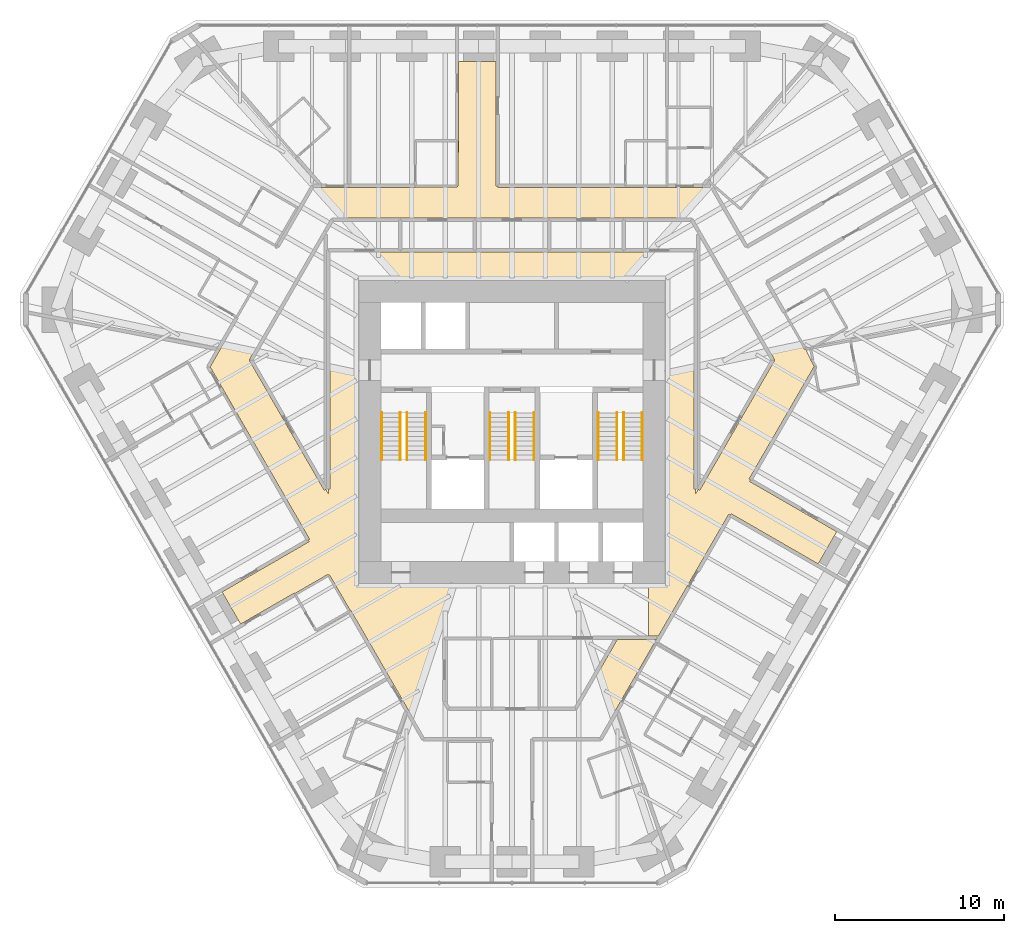
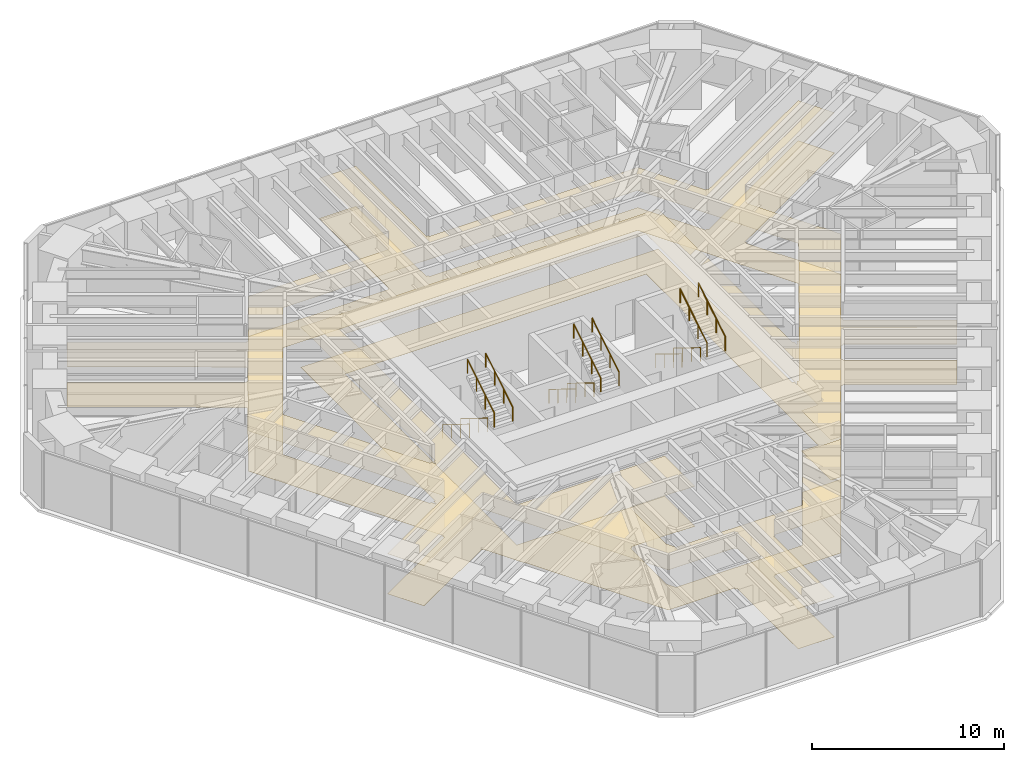
# One storey, part 17 of 17: 12 railings, 2 coverings.
"""IFC4 building model written with IfcOpenShell, lengths in metres."""

from ifc_helpers import new_model, si_unit, direction, frame, origin, origin_2d, place, context, subcontext, project, spatial, polyline, circle, outline, extrude, material, layer, layer_set, type_object, element, save


model = new_model("IFC4")

# Units and contexts
model_context = context("Model", 3, precision=1e-05, world=origin(), true_north=direction((0.0, 1.0)))
body_context = subcontext(model_context, "Body", "Model", "MODEL_VIEW")
ifc_project = project(units=[si_unit("LENGTHUNIT", "METRE"), si_unit("AREAUNIT", "SQUARE_METRE"), si_unit("VOLUMEUNIT", "CUBIC_METRE"), si_unit("PLANEANGLEUNIT", "RADIAN"), si_unit("MASSUNIT", "GRAM", prefix="KILO")], contexts=[model_context])

# Site, building, storey
site_placement = place(None, origin())
site = spatial("IfcSite", under=ifc_project, at=site_placement, CompositionType="ELEMENT")
building_placement = place(site_placement, origin())
building = spatial("IfcBuilding", under=site, at=building_placement, Name="Sandreach Pilgrim Tower", CompositionType="ELEMENT")
storey_placement = place(building_placement, frame((0.0, 0.0, 104.39990234375)))
storey = spatial("IfcBuildingStorey", under=building, at=storey_placement, Name="L25", CompositionType="ELEMENT", Elevation=104.39990234375)

# Coverings
ifc_material_1 = material(Name="Nylon carpet tile on the slab", Category="textile")
ifc_layer_1 = layer(ifc_material_1, 0.008056640625)
ifc_layer_set_1 = layer_set([ifc_layer_1], Name="Carpet tile")
covering_type_1 = type_object("IfcCoveringType", Name="Carpet tile", PredefinedType="FLOORING", material=ifc_layer_set_1)
covering_1_placement = place(storey_placement, origin())
element("IfcCovering", 1, at=covering_1_placement, inside=storey, type_object=covering_type_1, Name="Floor finish 25C Corridor 25", PredefinedType="FLOORING", context=body_context, shape_type="SweptSolid", body=[
    extrude(outline(polyline([(-21.994384765625, 13.96923828125), (-13.90966796875, 9.30322265625), (-13.861083984375, 9.38818359375), (-13.7734375, 9.33984375), (-11.71240234375, 12.889892578125), (-5.699951171875, 12.889892578125), (-4.696044921875, 12.929931640625), (-3.25, 12.929931640625), (-3.25, 12.987548828125), (-3.18994140625, 12.989990234375), (-3.175537109375, 15.659912109375), (-3.14990234375, 15.659912109375), (-3.14990234375, 20.333740234375), (-0.949951171875, 20.333740234375), (-0.949951171875, 12.989990234375), (-0.8349609375, 12.989990234375), (-0.8349609375, 12.889892578125), (11.71240234375, 12.889892578125), (13.7685546875, 9.348388671875), (13.849853515625, 9.395751953125), (13.909912109375, 9.303466796875), (21.99365234375, 13.97021484375), (23.094482421875, 12.063720703125), (15.010009765625, 7.396484375), (15.060546875, 7.298828125), (14.978271484375, 7.25146484375), (16.00341796875, 5.47021484375), (16.04248046875, 5.492431640625), (17.298095703125, 3.31005859375), (17.345947265625, 3.337646484375), (17.358642578125, 3.279541015625), (17.37890625, 3.283447265625), (17.685302734375, 2.68017578125), (17.66796875, 2.670166015625), (17.8603515625, 2.335693359375), (14.010986328125, -4.31689453125), (14.097412109375, -4.366943359375), (14.0400390625, -4.466552734375), (19.1865234375, -7.435791015625), (18.085693359375, -9.342041015625), (12.94873046875, -6.37841796875), (12.900146484375, -6.46240234375), (12.803466796875, -6.409912109375), (8.6513671875, -13.60009765625), (8.050048828125, -13.60009765625), (8.050048828125, -10.52001953125), (9.070068359375, -10.52001953125), (9.070068359375, 7.419921875), (-9.070068359375, 7.419921875), (-9.070068359375, -10.52001953125), (-0.175048828125, -10.52001953125), (-0.175048828125, -13.68994140625), (-1.199951171875, -13.67919921875), (-1.199951171875, -13.64990234375), (-3.989990234375, -13.64990234375), (-3.989990234375, -13.75), (-4.10009765625, -13.75), (-4.10009765625, -17.487060546875), (-3.8076171875, -17.989990234375), (3.8076171875, -17.989990234375), (6.2265625, -13.800048828125), (8.535888671875, -13.800048828125), (5.192138671875, -19.590087890625), (1.215087890625, -19.590087890625), (1.215087890625, -19.68994140625), (1.10009765625, -19.68994140625), (1.10009765625, -26.0322265625), (-1.10009765625, -26.0322265625), (-1.10009765625, -19.699951171875), (-1.199951171875, -19.699951171875), (-1.199951171875, -19.590087890625), (-5.192138671875, -19.590087890625), (-9.5234375, -12.090087890625), (-9.55029296875, -12.10546875), (-10.7880859375, -9.97998046875), (-10.840576171875, -10.009033203125), (-10.8701171875, -9.9580078125), (-12.840087890625, -11.09814453125), (-12.85986328125, -11.0634765625), (-16.033935546875, -12.89599609375), (-17.130615234375, -10.99658203125), (-11.989990234375, -8.026611328125), (-12.045166015625, -7.92578125), (-11.9609375, -7.876953125), (-17.83447265625, 2.300048828125), (-16.17333984375, 5.179931640625), (-16.20947265625, 5.200927734375), (-15.008056640625, 7.280029296875), (-15.05908203125, 7.309326171875), (-15.030029296875, 7.36181640625), (-17.28662109375, 8.677978515625), (-17.27001953125, 8.70654296875), (-23.09375, 12.064697265625), (-21.994384765625, 13.96923828125)]), holes=[polyline([(-15.525390625, 2.699951171875), (-11.0966796875, -4.97998046875), (-11.004638671875, -4.927001953125), (-10.85009765625, -5.19482421875), (-10.85009765625, -4.909912109375), (-10.75, -4.909912109375), (-10.75, 9.10009765625), (10.75, 9.10009765625), (10.75, -4.909912109375), (10.85009765625, -4.909912109375), (10.85009765625, -5.19482421875), (11.004638671875, -4.927001953125), (11.0966796875, -4.97998046875), (15.525390625, 2.699951171875), (10.677490234375, 11.090087890625), (-10.677490234375, 11.090087890625), (-15.525390625, 2.699951171875)])]), origin(), (0.0, 0.0, 1.0), 0.008056640625),
])
ifc_material_2 = material(Name="Gypsum board suspended ceiling on a steel grid", Category="steel")
ifc_layer_2 = layer(ifc_material_2, 0.012939453125)
ifc_layer_set_2 = layer_set([ifc_layer_2], Name="Gypsum board suspended ceiling")
covering_type_2 = type_object("IfcCoveringType", Name="Gypsum board suspended ceiling", PredefinedType="CEILING", material=ifc_layer_set_2)
covering_2_placement = place(storey_placement, frame((0.0, 0.0, 2.550048828125)))
element("IfcCovering", 2, at=covering_2_placement, inside=storey, type_object=covering_type_2, Name="Ceiling 25C Corridor 25", PredefinedType="CEILING", context=body_context, shape_type="SweptSolid", body=[
    extrude(outline(polyline([(-23.09375, 12.064697265625), (-21.994384765625, 13.96923828125), (-13.90966796875, 9.30322265625), (-13.861083984375, 9.38818359375), (-13.7734375, 9.33984375), (-11.71240234375, 12.889892578125), (-5.699951171875, 12.889892578125), (-5.699951171875, 12.91845703125), (-3.25, 12.929931640625), (-3.247802734375, 12.989990234375), (-3.18994140625, 12.989990234375), (-3.18994140625, 14.568115234375), (-3.14990234375, 15.659912109375), (-3.14990234375, 20.333740234375), (-0.949951171875, 20.333740234375), (-0.949951171875, 12.989990234375), (-0.8349609375, 12.989990234375), (-0.8349609375, 12.889892578125), (11.71240234375, 12.889892578125), (13.7685546875, 9.348388671875), (13.849853515625, 9.395751953125), (13.909912109375, 9.303466796875), (21.99365234375, 13.97021484375), (23.094482421875, 12.063720703125), (15.010009765625, 7.396484375), (15.060546875, 7.298828125), (14.978271484375, 7.25146484375), (16.00341796875, 5.47021484375), (16.04248046875, 5.492431640625), (17.298095703125, 3.31005859375), (17.345947265625, 3.337646484375), (17.358642578125, 3.279541015625), (17.37890625, 3.283447265625), (17.685302734375, 2.68017578125), (17.66796875, 2.670166015625), (17.8603515625, 2.335693359375), (14.010986328125, -4.31689453125), (14.097412109375, -4.366943359375), (14.0400390625, -4.466552734375), (19.1865234375, -7.435791015625), (18.085693359375, -9.342041015625), (12.94873046875, -6.37841796875), (12.900146484375, -6.46240234375), (12.803466796875, -6.409912109375), (8.6513671875, -13.60009765625), (8.050048828125, -13.60009765625), (8.050048828125, -10.52001953125), (9.070068359375, -10.52001953125), (9.070068359375, 7.419921875), (-9.070068359375, 7.419921875), (-9.070068359375, -10.52001953125), (-0.175048828125, -10.52001953125), (-0.175048828125, -13.68994140625), (-1.199951171875, -13.67919921875), (-1.199951171875, -13.64990234375), (-3.989990234375, -13.64990234375), (-3.989990234375, -13.75), (-4.10009765625, -13.75), (-4.10009765625, -17.487060546875), (-3.8076171875, -17.989990234375), (3.8076171875, -17.989990234375), (6.2265625, -13.800048828125), (8.535888671875, -13.800048828125), (5.192138671875, -19.590087890625), (1.215087890625, -19.590087890625), (1.215087890625, -19.68994140625), (1.10009765625, -19.68994140625), (1.10009765625, -26.0322265625), (-1.10009765625, -26.0322265625), (-1.10009765625, -19.699951171875), (-1.199951171875, -19.699951171875), (-1.199951171875, -19.590087890625), (-5.192138671875, -19.590087890625), (-9.5234375, -12.090087890625), (-9.55029296875, -12.10546875), (-10.7880859375, -9.97998046875), (-10.840576171875, -10.009033203125), (-10.8701171875, -9.9580078125), (-12.840087890625, -11.09814453125), (-12.85986328125, -11.0634765625), (-16.033935546875, -12.89599609375), (-17.130615234375, -10.99658203125), (-11.989990234375, -8.026611328125), (-12.045166015625, -7.92578125), (-11.9609375, -7.876953125), (-17.83447265625, 2.300048828125), (-16.17333984375, 5.179931640625), (-16.193359375, 5.191650390625), (-15.008056640625, 7.280029296875), (-15.058837890625, 7.31201171875), (-15.030029296875, 7.36181640625), (-16.36474609375, 8.1357421875), (-17.27001953125, 8.70654296875), (-23.09375, 12.064697265625)]), holes=[polyline([(-15.525390625, 2.699951171875), (-11.0966796875, -4.97998046875), (-11.004638671875, -4.927001953125), (-10.85009765625, -5.19482421875), (-10.85009765625, -4.909912109375), (-10.75, -4.909912109375), (-10.75, 9.10009765625), (10.75, 9.10009765625), (10.75, -4.909912109375), (10.85009765625, -4.909912109375), (10.85009765625, -5.19482421875), (11.004638671875, -4.927001953125), (11.0966796875, -4.97998046875), (15.525390625, 2.699951171875), (10.677490234375, 11.090087890625), (-10.677490234375, 11.090087890625), (-15.525390625, 2.699951171875)])]), origin(), (0.0, 0.0, 1.0), 0.012939453125),
])

# Railings
ifc_material_3 = material(Name="Stainless steel tube", Category="steel")
railing_type = type_object("IfcRailingType", Name="Stair handrail", PredefinedType="HANDRAIL", material=ifc_material_3)
for number, where, name in (
    (3, (-6.60009765625, -0.39990234375, 0.1728515625), "Handrail ST1 L25 flight 1"),
    (4, (-7.699951171875, -0.39990234375, 0.1728515625), "Handrail ST1 L25 flight 1"),
):
    element("IfcRailing", number, at=place(storey_placement, frame(where)), inside=storey, type_object=railing_type, Name=name, PredefinedType="HANDRAIL", context=body_context, shape_type="SweptSolid", body=[
        extrude(circle(Radius=0.02392578125, at=origin_2d()), frame((0.0, 0.0, 0.8759765625), z_axis=(0.0, -0.851089632645, 0.525020415988), x_axis=(1.0, 0.0, 0.0)), (0.0, 0.0, 1.0), 3.2900390625),
        extrude(circle(Radius=0.02099609375, at=origin_2d()), origin(), (0.0, 0.0, 1.0), 0.851806640625),
        extrude(circle(Radius=0.02099609375, at=origin_2d()), frame((0.0, -0.933349609375, 0.57568359375)), (0.0, 0.0, 1.0), 0.851806640625),
        extrude(circle(Radius=0.02099609375, at=origin_2d()), frame((0.0, -1.86669921875, 1.151611328125)), (0.0, 0.0, 1.0), 0.851806640625),
        extrude(circle(Radius=0.02099609375, at=origin_2d()), frame((0.0, -2.800048828125, 1.727294921875)), (0.0, 0.0, 1.0), 0.851806640625),
    ])
for number, where, name in (
    (5, (-6.199951171875, -3.199951171875, 2.07275390625), "Handrail ST1 L25 flight 2"),
    (6, (-5.10009765625, -3.199951171875, 2.07275390625), "Handrail ST1 L25 flight 2"),
):
    element("IfcRailing", number, at=place(storey_placement, frame(where)), inside=storey, type_object=railing_type, Name=name, PredefinedType="HANDRAIL", context=body_context, shape_type="SweptSolid", body=[
        extrude(circle(Radius=0.02392578125, at=origin_2d()), frame((0.0, 0.0, 0.8759765625), z_axis=(0.0, 0.851089632645, 0.525020415988), x_axis=(-1.0, 0.0, 0.0)), (0.0, 0.0, 1.0), 3.2900390625),
        extrude(circle(Radius=0.02099609375, at=origin_2d()), origin(), (0.0, 0.0, 1.0), 0.851806640625),
        extrude(circle(Radius=0.02099609375, at=origin_2d()), frame((0.0, 0.933349609375, 0.57568359375)), (0.0, 0.0, 1.0), 0.851806640625),
        extrude(circle(Radius=0.02099609375, at=origin_2d()), frame((0.0, 1.86669921875, 1.151611328125)), (0.0, 0.0, 1.0), 0.851806640625),
        extrude(circle(Radius=0.02099609375, at=origin_2d()), frame((0.0, 2.800048828125, 1.727294921875)), (0.0, 0.0, 1.0), 0.851806640625),
    ])
for number, where, name in (
    (7, (-0.199951171875, -0.39990234375, 0.1728515625), "Handrail ST3 L25 flight 1"),
    (8, (-1.300048828125, -0.39990234375, 0.1728515625), "Handrail ST3 L25 flight 1"),
):
    element("IfcRailing", number, at=place(storey_placement, frame(where)), inside=storey, type_object=railing_type, Name=name, PredefinedType="HANDRAIL", context=body_context, shape_type="SweptSolid", body=[
        extrude(circle(Radius=0.02392578125, at=origin_2d()), frame((0.0, 0.0, 0.8759765625), z_axis=(0.0, -0.851089632645, 0.525020415988), x_axis=(1.0, 0.0, 0.0)), (0.0, 0.0, 1.0), 3.2900390625),
        extrude(circle(Radius=0.02099609375, at=origin_2d()), origin(), (0.0, 0.0, 1.0), 0.851806640625),
        extrude(circle(Radius=0.02099609375, at=origin_2d()), frame((0.0, -0.933349609375, 0.57568359375)), (0.0, 0.0, 1.0), 0.851806640625),
        extrude(circle(Radius=0.02099609375, at=origin_2d()), frame((0.0, -1.86669921875, 1.151611328125)), (0.0, 0.0, 1.0), 0.851806640625),
        extrude(circle(Radius=0.02099609375, at=origin_2d()), frame((0.0, -2.800048828125, 1.727294921875)), (0.0, 0.0, 1.0), 0.851806640625),
    ])
for number, where, name in (
    (9, (0.199951171875, -3.199951171875, 2.07275390625), "Handrail ST3 L25 flight 2"),
    (10, (1.300048828125, -3.199951171875, 2.07275390625), "Handrail ST3 L25 flight 2"),
):
    element("IfcRailing", number, at=place(storey_placement, frame(where)), inside=storey, type_object=railing_type, Name=name, PredefinedType="HANDRAIL", context=body_context, shape_type="SweptSolid", body=[
        extrude(circle(Radius=0.02392578125, at=origin_2d()), frame((0.0, 0.0, 0.8759765625), z_axis=(0.0, 0.851089632645, 0.525020415988), x_axis=(-1.0, 0.0, 0.0)), (0.0, 0.0, 1.0), 3.2900390625),
        extrude(circle(Radius=0.02099609375, at=origin_2d()), origin(), (0.0, 0.0, 1.0), 0.851806640625),
        extrude(circle(Radius=0.02099609375, at=origin_2d()), frame((0.0, 0.933349609375, 0.57568359375)), (0.0, 0.0, 1.0), 0.851806640625),
        extrude(circle(Radius=0.02099609375, at=origin_2d()), frame((0.0, 1.86669921875, 1.151611328125)), (0.0, 0.0, 1.0), 0.851806640625),
        extrude(circle(Radius=0.02099609375, at=origin_2d()), frame((0.0, 2.800048828125, 1.727294921875)), (0.0, 0.0, 1.0), 0.851806640625),
    ])
for number, where, name in (
    (11, (6.199951171875, -0.39990234375, 0.1728515625), "Handrail ST2 L25 flight 1"),
    (12, (5.10009765625, -0.39990234375, 0.1728515625), "Handrail ST2 L25 flight 1"),
):
    element("IfcRailing", number, at=place(storey_placement, frame(where)), inside=storey, type_object=railing_type, Name=name, PredefinedType="HANDRAIL", context=body_context, shape_type="SweptSolid", body=[
        extrude(circle(Radius=0.02392578125, at=origin_2d()), frame((0.0, 0.0, 0.8759765625), z_axis=(0.0, -0.851089632645, 0.525020415988), x_axis=(1.0, 0.0, 0.0)), (0.0, 0.0, 1.0), 3.2900390625),
        extrude(circle(Radius=0.02099609375, at=origin_2d()), origin(), (0.0, 0.0, 1.0), 0.851806640625),
        extrude(circle(Radius=0.02099609375, at=origin_2d()), frame((0.0, -0.933349609375, 0.57568359375)), (0.0, 0.0, 1.0), 0.851806640625),
        extrude(circle(Radius=0.02099609375, at=origin_2d()), frame((0.0, -1.86669921875, 1.151611328125)), (0.0, 0.0, 1.0), 0.851806640625),
        extrude(circle(Radius=0.02099609375, at=origin_2d()), frame((0.0, -2.800048828125, 1.727294921875)), (0.0, 0.0, 1.0), 0.851806640625),
    ])
for number, where, name in (
    (13, (6.60009765625, -3.199951171875, 2.07275390625), "Handrail ST2 L25 flight 2"),
    (14, (7.699951171875, -3.199951171875, 2.07275390625), "Handrail ST2 L25 flight 2"),
):
    element("IfcRailing", number, at=place(storey_placement, frame(where)), inside=storey, type_object=railing_type, Name=name, PredefinedType="HANDRAIL", context=body_context, shape_type="SweptSolid", body=[
        extrude(circle(Radius=0.02392578125, at=origin_2d()), frame((0.0, 0.0, 0.8759765625), z_axis=(0.0, 0.851089632645, 0.525020415988), x_axis=(-1.0, 0.0, 0.0)), (0.0, 0.0, 1.0), 3.2900390625),
        extrude(circle(Radius=0.02099609375, at=origin_2d()), origin(), (0.0, 0.0, 1.0), 0.851806640625),
        extrude(circle(Radius=0.02099609375, at=origin_2d()), frame((0.0, 0.933349609375, 0.57568359375)), (0.0, 0.0, 1.0), 0.851806640625),
        extrude(circle(Radius=0.02099609375, at=origin_2d()), frame((0.0, 1.86669921875, 1.151611328125)), (0.0, 0.0, 1.0), 0.851806640625),
        extrude(circle(Radius=0.02099609375, at=origin_2d()), frame((0.0, 2.800048828125, 1.727294921875)), (0.0, 0.0, 1.0), 0.851806640625),
    ])

save(model, "model.ifc")
